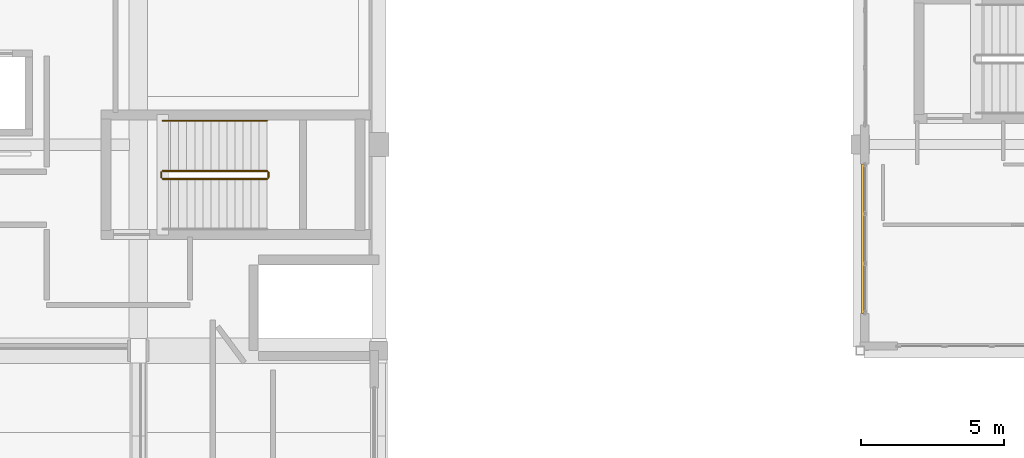
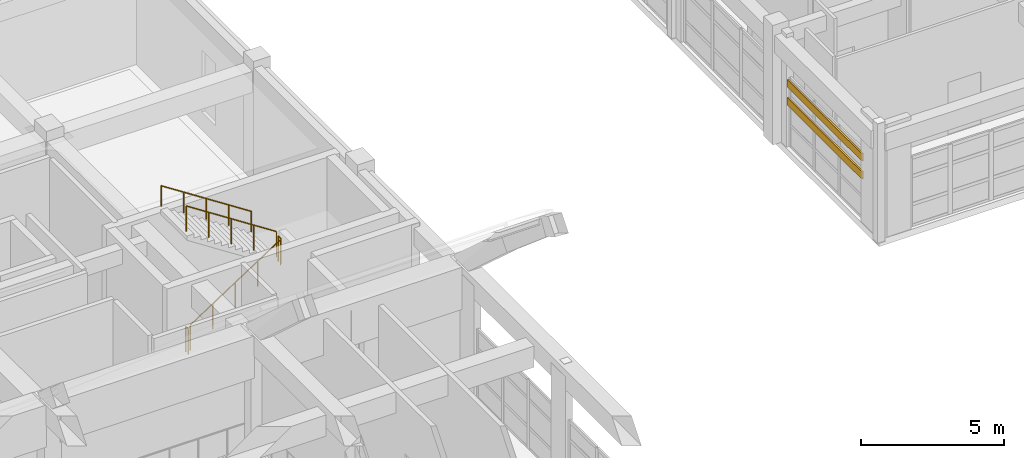
# One storey, part 100 of 103: 5 railings, 2 shading devices.
"""IFC4 building model written with IfcOpenShell, lengths in metres."""

import ifcopenshell
import ifcopenshell.guid

model = None  # the IFC model being written
_history = None  # IfcOwnerHistory: only IFC2X3 demands one
_inside = {}  # id of a spatial element -> (the spatial element, [elements in it])
_under = {}  # id of a project, library or spatial element -> (it, [spatial elements below it])
_declared = {}  # id of a project -> (the project, [libraries it declares])
_typed = {}  # id of a type object -> (the type object, [elements of that type])
_made_of = {}  # id of a material, layer set ... -> (it, [elements and type objects made of it])


def new_model(schema):
    """Start an empty IFC model of exactly this schema.

    Asked for "IFC4X3", IfcOpenShell would pick the latest addendum, in which some entities
    have other attributes; the version numbers below select the first issue.
    IFC2X3 requires an IfcOwnerHistory on every rooted entity: one is made here for all.
    """
    global model, _history
    if schema == "IFC4X3":
        model = ifcopenshell.file(schema_version=(4, 3, 0, 0))
    else:
        model = ifcopenshell.file(schema=schema)
    _inside.clear()
    _under.clear()
    _declared.clear()
    _typed.clear()
    _made_of.clear()
    _history = None
    if model.schema == "IFC2X3":
        org = make("IfcOrganization", Name="unknown")
        user = make(
            "IfcPersonAndOrganization",
            ThePerson=make("IfcPerson", FamilyName="unknown"),
            TheOrganization=org,
        )
        app = make(
            "IfcApplication",
            ApplicationDeveloper=org,
            Version="unknown",
            ApplicationFullName="unknown",
            ApplicationIdentifier="unknown",
        )
        _history = make(
            "IfcOwnerHistory",
            OwningUser=user,
            OwningApplication=app,
            ChangeAction="ADDED",
            CreationDate=0,
        )
    return model


def make(cls, **values):
    """One entity of the class cls with the attributes given. An attribute that is None is left unset."""
    return model.create_entity(
        cls, **{name: value for name, value in values.items() if value is not None}
    )


def rooted(cls, **values):
    """An entity with a GlobalId (a new one), such as an element, a storey or a relation."""
    return make(cls, GlobalId=ifcopenshell.guid.new(), OwnerHistory=_history, **values)


def si_unit(unit_type, name, prefix=None):
    """IfcSIUnit, for example si_unit("LENGTHUNIT", "METRE", prefix="MILLI")."""
    return make("IfcSIUnit", UnitType=unit_type, Prefix=prefix, Name=name)


def assignment(units):
    """IfcUnitAssignment: the units of a project."""
    return None if units is None else make("IfcUnitAssignment", Units=units)


def point(xyz):
    """IfcCartesianPoint."""
    return None if xyz is None else make("IfcCartesianPoint", Coordinates=xyz)


def direction(xyz):
    """IfcDirection."""
    return None if xyz is None else make("IfcDirection", DirectionRatios=xyz)


def frame(location, z_axis=None, x_axis=None):
    """IfcAxis2Placement3D, a coordinate frame: its origin and axes. An axis left out is left unset."""
    return make(
        "IfcAxis2Placement3D",
        Location=point(location),
        Axis=direction(z_axis),
        RefDirection=direction(x_axis),
    )


def frame_2d(location, x_axis=None):
    """IfcAxis2Placement2D, a coordinate frame in the plane: its origin and x axis."""
    return make(
        "IfcAxis2Placement2D", Location=point(location), RefDirection=direction(x_axis)
    )


def origin():
    """The frame at (0, 0, 0) with its axes left unset."""
    return frame((0.0, 0.0, 0.0))


def origin_2d():
    """The frame at (0, 0) in the plane with its x axis left unset."""
    return frame_2d((0.0, 0.0))


def place(relative_to, where):
    """IfcLocalPlacement: puts the frame where relative to a parent placement (None: the world)."""
    return make(
        "IfcLocalPlacement", PlacementRelTo=relative_to, RelativePlacement=where
    )


def context(
    kind, dimensions, precision=None, world=None, true_north=None, identifier=None
):
    """IfcGeometricRepresentationContext, for example the 3D "Model" context."""
    return make(
        "IfcGeometricRepresentationContext",
        ContextIdentifier=identifier,
        ContextType=kind,
        CoordinateSpaceDimension=dimensions,
        Precision=precision,
        WorldCoordinateSystem=world,
        TrueNorth=true_north,
    )


def subcontext(parent, identifier, kind, view, scale=None):
    """IfcGeometricRepresentationSubContext, for example "Body" below "Model"."""
    return make(
        "IfcGeometricRepresentationSubContext",
        ContextIdentifier=identifier,
        ContextType=kind,
        ParentContext=parent,
        TargetScale=scale,
        TargetView=view,
    )


def project(units=None, contexts=None):
    """IfcProject with its units and contexts."""
    return rooted(
        "IfcProject",
        Name="project",
        RepresentationContexts=contexts,
        UnitsInContext=assignment(units),
    )


def spatial(cls, under=None, at=None, **own):
    """A site, building, storey or space (cls), placed at a placement, below another one or the project."""
    s = rooted(cls, ObjectPlacement=at, **own)
    if under is not None:
        _under.setdefault(under.id(), (under, []))[1].append(s)
    return s


def profile(cls, at=None, kind="AREA", **sizes):
    """A parametric profile (cls). Its sizes go by their IFC names, for example OverallWidth=200.0."""
    return make(cls, ProfileType=kind, Position=at, **sizes)


def hollow_rectangle(**sizes):
    """IfcRectangleHollowProfileDef."""
    return profile("IfcRectangleHollowProfileDef", **sizes)


def circle(**sizes):
    """IfcCircleProfileDef."""
    return profile("IfcCircleProfileDef", **sizes)


def extrude(swept, where, along, depth):
    """IfcExtrudedAreaSolid: the profile swept, set in the frame where, extruded along a direction by depth."""
    return make(
        "IfcExtrudedAreaSolid",
        SweptArea=swept,
        Position=where,
        ExtrudedDirection=direction(along),
        Depth=depth,
    )


def shape(context_of_items, identifier, shape_type, items):
    """IfcShapeRepresentation: the items that make up one representation, for example the "Body"."""
    return make(
        "IfcShapeRepresentation",
        ContextOfItems=context_of_items,
        RepresentationIdentifier=identifier,
        RepresentationType=shape_type,
        Items=items,
    )


def material(Name=None, Category=None):
    """IfcMaterial."""
    return make("IfcMaterial", Name=Name, Category=Category)


def material_profile(
    of_material, cross_section, Name=None, Category=None, Priority=None
):
    """IfcMaterialProfile: a cross section and its material."""
    return make(
        "IfcMaterialProfile",
        Name=Name,
        Material=of_material,
        Profile=cross_section,
        Priority=Priority,
        Category=Category,
    )


def profile_set(profiles, Name=None, composite=None):
    """IfcMaterialProfileSet."""
    return make(
        "IfcMaterialProfileSet",
        Name=Name,
        MaterialProfiles=profiles,
        CompositeProfile=composite,
    )


def made_of(thing, what):
    """Note that an element or type object is made of a material, layer set ...; save() writes the relation."""
    if what is not None:
        _made_of.setdefault(what.id(), (what, []))[1].append(thing)
    return thing


def type_object(cls, material=None, **own):
    """A type object (cls), such as IfcWallType, which elements share."""
    return made_of(rooted(cls, **own), material)


def element(
    cls,
    number,
    at=None,
    inside=None,
    cuts=None,
    type_object=None,
    material=None,
    context=None,
    identifier="Body",
    shape_type=None,
    held_by="IfcProductDefinitionShape",
    body=None,
    shapes=None,
    **own,
):
    """One element of the class cls, such as IfcWall. Its Tag is "e" and its number.

    at: its placement. inside: the storey or other place that contains it. cuts: it is an
    opening in that element (IfcRelVoidsElement). A single representation is given by context,
    identifier, shape_type and body (its items); several are given by shapes. held_by: the class
    of the entity that holds the representations. save() writes the other relations.
    """
    e = rooted(cls, Tag="e%d" % number, ObjectPlacement=at, **own)
    if body is not None:
        shapes = [shape(context, identifier, shape_type, body)]
    if shapes is not None:
        e.Representation = make(held_by, Representations=shapes)
    if inside is not None:
        _inside.setdefault(inside.id(), (inside, []))[1].append(e)
    if cuts is not None:
        rooted(
            "IfcRelVoidsElement", RelatingBuildingElement=cuts, RelatedOpeningElement=e
        )
    if type_object is not None:
        _typed.setdefault(type_object.id(), (type_object, []))[1].append(e)
    return made_of(e, material)


def aggregate(whole, parts):
    """IfcRelAggregates: a whole, such as a stair, and the parts it consists of."""
    return rooted("IfcRelAggregates", RelatingObject=whole, RelatedObjects=parts)


def save(model, path):
    """Write the relations noted so far, then the file.

    IfcRelAggregates (storeys below a building ...), IfcRelContainedInSpatialStructure (elements
    in a storey), IfcRelDefinesByType, IfcRelAssociatesMaterial and IfcRelDeclares: one each for
    every whole, place, type object, material and project.
    """
    for whole, parts in _under.values():
        aggregate(whole, parts)
    for where, things in _inside.values():
        rooted(
            "IfcRelContainedInSpatialStructure",
            RelatedElements=things,
            RelatingStructure=where,
        )
    for kind, things in _typed.values():
        rooted("IfcRelDefinesByType", RelatedObjects=things, RelatingType=kind)
    for what, things in _made_of.values():
        rooted("IfcRelAssociatesMaterial", RelatedObjects=things, RelatingMaterial=what)
    for by, libraries in _declared.values():
        rooted("IfcRelDeclares", RelatingContext=by, RelatedDefinitions=libraries)
    model.write(path)


model = new_model("IFC4")

# Units and contexts
model_context = context("Model", 3, precision=1e-05, world=origin(), true_north=direction((0.0, 1.0)))
body_context = subcontext(model_context, "Body", "Model", "MODEL_VIEW")
ifc_project = project(units=[si_unit("LENGTHUNIT", "METRE"), si_unit("AREAUNIT", "SQUARE_METRE"), si_unit("VOLUMEUNIT", "CUBIC_METRE"), si_unit("PLANEANGLEUNIT", "RADIAN"), si_unit("MASSUNIT", "GRAM", prefix="KILO")], contexts=[model_context])

# Site, building, storey
site_placement = place(None, origin())
site = spatial("IfcSite", under=ifc_project, at=site_placement, CompositionType="ELEMENT")
building_placement = place(site_placement, origin())
building = spatial("IfcBuilding", under=site, at=building_placement, Name="Quendrovan Civic Courthouse", CompositionType="ELEMENT")
storey_placement = place(building_placement, frame((0.0, 0.0, 15.300048828125)))
storey = spatial("IfcBuildingStorey", under=building, at=storey_placement, Name="L04", CompositionType="ELEMENT", Elevation=15.300048828125)

# Railings
ifc_material_1 = material(Name="Painted galvanized steel", Category="steel")
railing_type_1 = type_object("IfcRailingType", Name="RL-STR-GUARD1100", PredefinedType="GUARDRAIL", material=ifc_material_1)
railing_1_placement = place(storey_placement, frame((84.85009765625, 93.60009765625, 0.18212890625)))
element("IfcRailing", 1, at=railing_1_placement, inside=storey, type_object=railing_type_1, Name="L04 ST3 stair guard 1", PredefinedType="GUARDRAIL", context=body_context, shape_type="SweptSolid", body=[
    extrude(circle(Radius=0.02392578125, at=origin_2d()), frame((0.0, 0.0, 1.076171875), z_axis=(0.838234174257, 0.0, 0.545310433706), x_axis=(0.0, 1.0, 0.0)), (0.0, 0.0, 1.0), 4.34228515625),
    extrude(circle(Radius=0.02099609375, at=origin_2d()), origin(), (0.0, 0.0, 1.0), 1.052001953125),
    extrude(circle(Radius=0.02099609375, at=origin_2d()), frame((0.909912109375, 0.0, 0.592041015625)), (0.0, 0.0, 1.0), 1.052001953125),
    extrude(circle(Radius=0.02099609375, at=origin_2d()), frame((1.81982421875, 0.0, 1.18408203125)), (0.0, 0.0, 1.0), 1.052001953125),
    extrude(circle(Radius=0.02099609375, at=origin_2d()), frame((2.72998046875, 0.0, 1.77587890625)), (0.0, 0.0, 1.0), 1.052001953125),
    extrude(circle(Radius=0.02099609375, at=origin_2d()), frame((3.639892578125, 0.0, 2.367919921875)), (0.0, 0.0, 1.0), 1.052001953125),
])
railing_2_placement = place(storey_placement, frame((88.5400390625, 93.64990234375, 2.550048828125)))
element("IfcRailing", 2, at=railing_2_placement, inside=storey, type_object=railing_type_1, Name="L04 ST3 stair guard 2", PredefinedType="GUARDRAIL", context=body_context, shape_type="SweptSolid", body=[
    extrude(circle(Radius=0.02392578125, at=origin_2d()), frame((0.0, 0.0, 1.076171875), z_axis=(0.0, 1.0, 0.0), x_axis=(-1.0, 0.0, 0.0)), (0.0, 0.0, 1.0), 0.18017578125),
    extrude(circle(Radius=0.02099609375, at=origin_2d()), origin(), (0.0, 0.0, 1.0), 1.052001953125),
    extrude(circle(Radius=0.02099609375, at=origin_2d()), frame((0.0, 0.18017578125, 0.0)), (0.0, 0.0, 1.0), 1.052001953125),
])
railing_3_placement = place(storey_placement, frame((88.489990234375, 93.8798828125, 2.732177734375)))
element("IfcRailing", 3, at=railing_3_placement, inside=storey, type_object=railing_type_1, Name="L04 ST3 stair guard 3", PredefinedType="GUARDRAIL", context=body_context, shape_type="SweptSolid", body=[
    extrude(circle(Radius=0.02392578125, at=origin_2d()), frame((0.0, 0.0, 1.076171875), z_axis=(-0.838259873693, 0.0, 0.545270927297), x_axis=(0.0, -1.0, 0.0)), (0.0, 0.0, 1.0), 4.34228515625),
    extrude(circle(Radius=0.02099609375, at=origin_2d()), origin(), (0.0, 0.0, 1.0), 1.052001953125),
    extrude(circle(Radius=0.02099609375, at=origin_2d()), frame((-0.909912109375, 0.0, 0.591796875)), (0.0, 0.0, 1.0), 1.052001953125),
    extrude(circle(Radius=0.02099609375, at=origin_2d()), frame((-1.81982421875, 0.0, 1.183837890625)), (0.0, 0.0, 1.0), 1.052001953125),
    extrude(circle(Radius=0.02099609375, at=origin_2d()), frame((-2.72998046875, 0.0, 1.77587890625)), (0.0, 0.0, 1.0), 1.052001953125),
    extrude(circle(Radius=0.02099609375, at=origin_2d()), frame((-3.639892578125, 0.0, 2.36767578125)), (0.0, 0.0, 1.0), 1.052001953125),
])
railing_4_placement = place(storey_placement, frame((84.800048828125, 93.64990234375, 0.0)))
element("IfcRailing", 4, at=railing_4_placement, inside=storey, type_object=railing_type_1, Name="L04 ST3 stair guard 4", PredefinedType="GUARDRAIL", context=body_context, shape_type="SweptSolid", body=[
    extrude(circle(Radius=0.02392578125, at=origin_2d()), frame((0.0, 0.0, 1.076171875), z_axis=(0.0, 1.0, 0.0), x_axis=(-1.0, 0.0, 0.0)), (0.0, 0.0, 1.0), 0.18017578125),
    extrude(circle(Radius=0.02099609375, at=origin_2d()), origin(), (0.0, 0.0, 1.0), 1.052001953125),
    extrude(circle(Radius=0.02099609375, at=origin_2d()), frame((0.0, 0.18017578125, 0.0)), (0.0, 0.0, 1.0), 1.052001953125),
])
ifc_material_2 = material(Name="Bronze anodised aluminium", Category="aluminium")
railing_type_2 = type_object("IfcRailingType", Name="RL-STR-HAND900", PredefinedType="HANDRAIL", material=ifc_material_2)
railing_5_placement = place(storey_placement, frame((88.489990234375, 95.6298828125, 2.732177734375)))
element("IfcRailing", 5, at=railing_5_placement, inside=storey, type_object=railing_type_2, Name="L04 ST3 stair handrail 2", PredefinedType="HANDRAIL", context=body_context, shape_type="SweptSolid", body=[
    extrude(circle(Radius=0.02392578125, at=origin_2d()), frame((0.0, 0.0, 0.8759765625), z_axis=(-0.838259873693, 0.0, 0.545270927297), x_axis=(0.0, -1.0, 0.0)), (0.0, 0.0, 1.0), 4.34228515625),
    extrude(circle(Radius=0.02099609375, at=origin_2d()), origin(), (0.0, 0.0, 1.0), 0.851806640625),
    extrude(circle(Radius=0.02099609375, at=origin_2d()), frame((-0.909912109375, 0.0, 0.591796875)), (0.0, 0.0, 1.0), 0.851806640625),
    extrude(circle(Radius=0.02099609375, at=origin_2d()), frame((-1.81982421875, 0.0, 1.183837890625)), (0.0, 0.0, 1.0), 0.851806640625),
    extrude(circle(Radius=0.02099609375, at=origin_2d()), frame((-2.72998046875, 0.0, 1.77587890625)), (0.0, 0.0, 1.0), 0.851806640625),
    extrude(circle(Radius=0.02099609375, at=origin_2d()), frame((-3.639892578125, 0.0, 2.36767578125)), (0.0, 0.0, 1.0), 0.851806640625),
])

# Shading devices
ifc_material_profile = material_profile(ifc_material_2, hollow_rectangle(XDim=0.06494140625, YDim=0.320068359375, WallThickness=0.0048828125, at=origin_2d()), Name="AL-LOUVRE-65x320")
ifc_profile_set = profile_set([ifc_material_profile], Name="Bronze anodised aluminium")
shading_device_type = type_object("IfcShadingDeviceType", Name="SHD-STORM-LOUVRE", PredefinedType="JALOUSIE", material=ifc_profile_set)
for number, where, z_axis, x_axis, name in (
    (6, (109.284912109375, 88.89990234375, 1.949951171875), (0.0, 1.0, 0.0), (-1.0, 0.0, 0.0), "L04 Bronze Hurricane Storm Louvre SLV-177"),
    (7, (109.284912109375, 88.89990234375, 2.719970703125), (0.0, 1.0, 0.0), (-1.0, 0.0, 0.0), "L04 Bronze Hurricane Storm Louvre SLV-178"),
):
    element("IfcShadingDevice", number, at=place(storey_placement, frame(where, z_axis=z_axis, x_axis=x_axis)), inside=storey, type_object=shading_device_type, Name=name, PredefinedType="JALOUSIE", context=body_context, shape_type="SweptSolid", body=[
        extrude(hollow_rectangle(XDim=0.06494140625, YDim=0.320068359375, WallThickness=0.0048828125, at=origin_2d()), origin(), (0.0, 0.0, 1.0), 5.22509765625),
    ])

save(model, "model.ifc")
